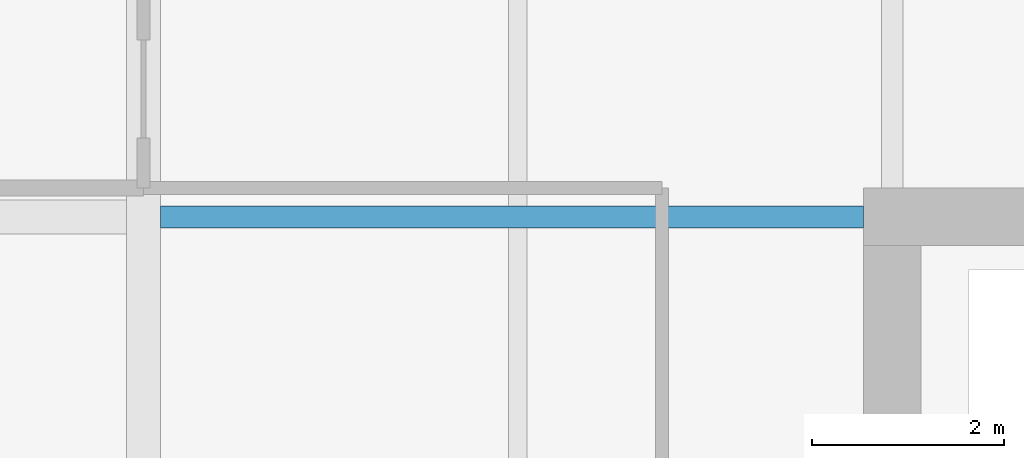
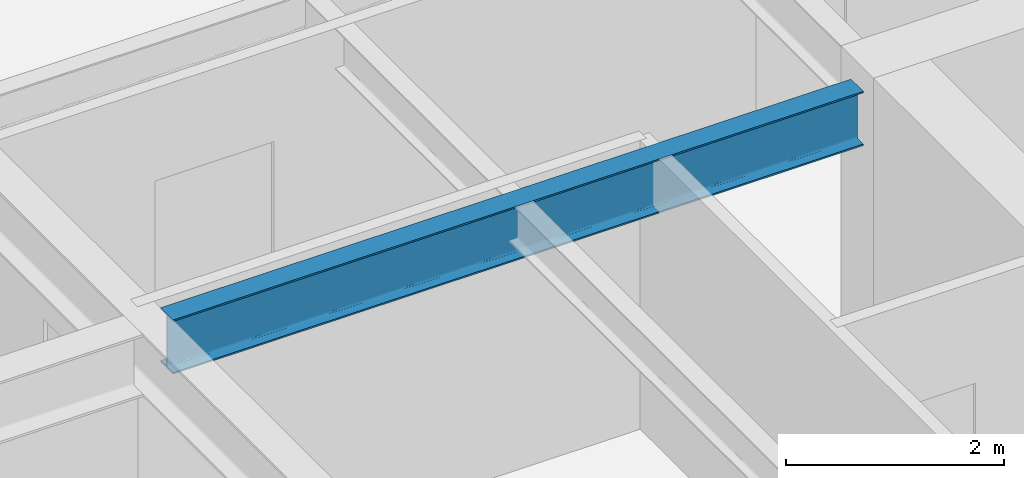
# One storey, part 17 of 35: 1 beam.
"""IFC4 building model written with IfcOpenShell, lengths in metres."""

import ifcopenshell
import ifcopenshell.guid

model = None  # the IFC model being written
_history = None  # IfcOwnerHistory: only IFC2X3 demands one
_inside = {}  # id of a spatial element -> (the spatial element, [elements in it])
_under = {}  # id of a project, library or spatial element -> (it, [spatial elements below it])
_declared = {}  # id of a project -> (the project, [libraries it declares])
_typed = {}  # id of a type object -> (the type object, [elements of that type])
_made_of = {}  # id of a material, layer set ... -> (it, [elements and type objects made of it])


def new_model(schema):
    """Start an empty IFC model of exactly this schema.

    Asked for "IFC4X3", IfcOpenShell would pick the latest addendum, in which some entities
    have other attributes; the version numbers below select the first issue.
    IFC2X3 requires an IfcOwnerHistory on every rooted entity: one is made here for all.
    """
    global model, _history
    if schema == "IFC4X3":
        model = ifcopenshell.file(schema_version=(4, 3, 0, 0))
    else:
        model = ifcopenshell.file(schema=schema)
    _inside.clear()
    _under.clear()
    _declared.clear()
    _typed.clear()
    _made_of.clear()
    _history = None
    if model.schema == "IFC2X3":
        org = make("IfcOrganization", Name="unknown")
        user = make(
            "IfcPersonAndOrganization",
            ThePerson=make("IfcPerson", FamilyName="unknown"),
            TheOrganization=org,
        )
        app = make(
            "IfcApplication",
            ApplicationDeveloper=org,
            Version="unknown",
            ApplicationFullName="unknown",
            ApplicationIdentifier="unknown",
        )
        _history = make(
            "IfcOwnerHistory",
            OwningUser=user,
            OwningApplication=app,
            ChangeAction="ADDED",
            CreationDate=0,
        )
    return model


def make(cls, **values):
    """One entity of the class cls with the attributes given. An attribute that is None is left unset."""
    return model.create_entity(
        cls, **{name: value for name, value in values.items() if value is not None}
    )


def rooted(cls, **values):
    """An entity with a GlobalId (a new one), such as an element, a storey or a relation."""
    return make(cls, GlobalId=ifcopenshell.guid.new(), OwnerHistory=_history, **values)


def si_unit(unit_type, name, prefix=None):
    """IfcSIUnit, for example si_unit("LENGTHUNIT", "METRE", prefix="MILLI")."""
    return make("IfcSIUnit", UnitType=unit_type, Prefix=prefix, Name=name)


def assignment(units):
    """IfcUnitAssignment: the units of a project."""
    return None if units is None else make("IfcUnitAssignment", Units=units)


def point(xyz):
    """IfcCartesianPoint."""
    return None if xyz is None else make("IfcCartesianPoint", Coordinates=xyz)


def direction(xyz):
    """IfcDirection."""
    return None if xyz is None else make("IfcDirection", DirectionRatios=xyz)


def frame(location, z_axis=None, x_axis=None):
    """IfcAxis2Placement3D, a coordinate frame: its origin and axes. An axis left out is left unset."""
    return make(
        "IfcAxis2Placement3D",
        Location=point(location),
        Axis=direction(z_axis),
        RefDirection=direction(x_axis),
    )


def frame_2d(location, x_axis=None):
    """IfcAxis2Placement2D, a coordinate frame in the plane: its origin and x axis."""
    return make(
        "IfcAxis2Placement2D", Location=point(location), RefDirection=direction(x_axis)
    )


def origin():
    """The frame at (0, 0, 0) with its axes left unset."""
    return frame((0.0, 0.0, 0.0))


def origin_2d():
    """The frame at (0, 0) in the plane with its x axis left unset."""
    return frame_2d((0.0, 0.0))


def place(relative_to, where):
    """IfcLocalPlacement: puts the frame where relative to a parent placement (None: the world)."""
    return make(
        "IfcLocalPlacement", PlacementRelTo=relative_to, RelativePlacement=where
    )


def context(
    kind, dimensions, precision=None, world=None, true_north=None, identifier=None
):
    """IfcGeometricRepresentationContext, for example the 3D "Model" context."""
    return make(
        "IfcGeometricRepresentationContext",
        ContextIdentifier=identifier,
        ContextType=kind,
        CoordinateSpaceDimension=dimensions,
        Precision=precision,
        WorldCoordinateSystem=world,
        TrueNorth=true_north,
    )


def subcontext(parent, identifier, kind, view, scale=None):
    """IfcGeometricRepresentationSubContext, for example "Body" below "Model"."""
    return make(
        "IfcGeometricRepresentationSubContext",
        ContextIdentifier=identifier,
        ContextType=kind,
        ParentContext=parent,
        TargetScale=scale,
        TargetView=view,
    )


def project(units=None, contexts=None):
    """IfcProject with its units and contexts."""
    return rooted(
        "IfcProject",
        Name="project",
        RepresentationContexts=contexts,
        UnitsInContext=assignment(units),
    )


def spatial(cls, under=None, at=None, **own):
    """A site, building, storey or space (cls), placed at a placement, below another one or the project."""
    s = rooted(cls, ObjectPlacement=at, **own)
    if under is not None:
        _under.setdefault(under.id(), (under, []))[1].append(s)
    return s


def profile(cls, at=None, kind="AREA", **sizes):
    """A parametric profile (cls). Its sizes go by their IFC names, for example OverallWidth=200.0."""
    return make(cls, ProfileType=kind, Position=at, **sizes)


def i_section(**sizes):
    """IfcIShapeProfileDef."""
    return profile("IfcIShapeProfileDef", **sizes)


def extrude(swept, where, along, depth):
    """IfcExtrudedAreaSolid: the profile swept, set in the frame where, extruded along a direction by depth."""
    return make(
        "IfcExtrudedAreaSolid",
        SweptArea=swept,
        Position=where,
        ExtrudedDirection=direction(along),
        Depth=depth,
    )


def shape(context_of_items, identifier, shape_type, items):
    """IfcShapeRepresentation: the items that make up one representation, for example the "Body"."""
    return make(
        "IfcShapeRepresentation",
        ContextOfItems=context_of_items,
        RepresentationIdentifier=identifier,
        RepresentationType=shape_type,
        Items=items,
    )


def material(Name=None, Category=None):
    """IfcMaterial."""
    return make("IfcMaterial", Name=Name, Category=Category)


def material_profile(
    of_material, cross_section, Name=None, Category=None, Priority=None
):
    """IfcMaterialProfile: a cross section and its material."""
    return make(
        "IfcMaterialProfile",
        Name=Name,
        Material=of_material,
        Profile=cross_section,
        Priority=Priority,
        Category=Category,
    )


def profile_set(profiles, Name=None, composite=None):
    """IfcMaterialProfileSet."""
    return make(
        "IfcMaterialProfileSet",
        Name=Name,
        MaterialProfiles=profiles,
        CompositeProfile=composite,
    )


def made_of(thing, what):
    """Note that an element or type object is made of a material, layer set ...; save() writes the relation."""
    if what is not None:
        _made_of.setdefault(what.id(), (what, []))[1].append(thing)
    return thing


def type_object(cls, material=None, **own):
    """A type object (cls), such as IfcWallType, which elements share."""
    return made_of(rooted(cls, **own), material)


def element(
    cls,
    number,
    at=None,
    inside=None,
    cuts=None,
    type_object=None,
    material=None,
    context=None,
    identifier="Body",
    shape_type=None,
    held_by="IfcProductDefinitionShape",
    body=None,
    shapes=None,
    **own,
):
    """One element of the class cls, such as IfcWall. Its Tag is "e" and its number.

    at: its placement. inside: the storey or other place that contains it. cuts: it is an
    opening in that element (IfcRelVoidsElement). A single representation is given by context,
    identifier, shape_type and body (its items); several are given by shapes. held_by: the class
    of the entity that holds the representations. save() writes the other relations.
    """
    e = rooted(cls, Tag="e%d" % number, ObjectPlacement=at, **own)
    if body is not None:
        shapes = [shape(context, identifier, shape_type, body)]
    if shapes is not None:
        e.Representation = make(held_by, Representations=shapes)
    if inside is not None:
        _inside.setdefault(inside.id(), (inside, []))[1].append(e)
    if cuts is not None:
        rooted(
            "IfcRelVoidsElement", RelatingBuildingElement=cuts, RelatedOpeningElement=e
        )
    if type_object is not None:
        _typed.setdefault(type_object.id(), (type_object, []))[1].append(e)
    return made_of(e, material)


def aggregate(whole, parts):
    """IfcRelAggregates: a whole, such as a stair, and the parts it consists of."""
    return rooted("IfcRelAggregates", RelatingObject=whole, RelatedObjects=parts)


def save(model, path):
    """Write the relations noted so far, then the file.

    IfcRelAggregates (storeys below a building ...), IfcRelContainedInSpatialStructure (elements
    in a storey), IfcRelDefinesByType, IfcRelAssociatesMaterial and IfcRelDeclares: one each for
    every whole, place, type object, material and project.
    """
    for whole, parts in _under.values():
        aggregate(whole, parts)
    for where, things in _inside.values():
        rooted(
            "IfcRelContainedInSpatialStructure",
            RelatedElements=things,
            RelatingStructure=where,
        )
    for kind, things in _typed.values():
        rooted("IfcRelDefinesByType", RelatedObjects=things, RelatingType=kind)
    for what, things in _made_of.values():
        rooted("IfcRelAssociatesMaterial", RelatedObjects=things, RelatingMaterial=what)
    for by, libraries in _declared.values():
        rooted("IfcRelDeclares", RelatingContext=by, RelatedDefinitions=libraries)
    model.write(path)


model = new_model("IFC4")

# Units and contexts
model_context = context("Model", 3, precision=1e-05, world=origin(), true_north=direction((0.0, 1.0)))
body_context = subcontext(model_context, "Body", "Model", "MODEL_VIEW")
ifc_project = project(units=[si_unit("LENGTHUNIT", "METRE"), si_unit("AREAUNIT", "SQUARE_METRE"), si_unit("VOLUMEUNIT", "CUBIC_METRE"), si_unit("PLANEANGLEUNIT", "RADIAN"), si_unit("MASSUNIT", "GRAM", prefix="KILO")], contexts=[model_context])

# Site, building, storey
site_placement = place(None, origin())
site = spatial("IfcSite", under=ifc_project, at=site_placement, CompositionType="ELEMENT")
building_placement = place(site_placement, origin())
building = spatial("IfcBuilding", under=site, at=building_placement, Name="Drelvath Grand Hotel", CompositionType="ELEMENT")
storey_placement = place(building_placement, frame((0.0, 0.0, 123.300048828125)))
storey = spatial("IfcBuildingStorey", under=building, at=storey_placement, Name="L31", CompositionType="ELEMENT", Elevation=123.300048828125)

# Beam
ifc_material = material(Name="Steel ASTM A992 Gr 50", Category="steel")
ifc_material_profile = material_profile(ifc_material, i_section(OverallWidth=0.228271484375, OverallDepth=0.607666015625, WebThickness=0.01123046875, FlangeThickness=0.017333984375, FilletRadius=0.02001953125, at=origin_2d()), Name="W24X76")
ifc_profile_set = profile_set([ifc_material_profile], Name="Steel ASTM A992 Gr 50")
beam_type = type_object("IfcBeamType", Name="Primary Floor Girder W24X76", PredefinedType="BEAM", material=ifc_profile_set)
beam_placement = place(storey_placement, frame((-16.022705078125, 35.39990234375, 2.93603515625), z_axis=(1.0, 0.0, 0.0), x_axis=(0.0, 1.0, 0.0)))
element("IfcBeam", 1, at=beam_placement, inside=storey, type_object=beam_type, Name="L31 West Core Tie F", PredefinedType="BEAM", context=body_context, shape_type="SweptSolid", body=[
    extrude(i_section(OverallWidth=0.228271484375, OverallDepth=0.607666015625, WebThickness=0.01123046875, FlangeThickness=0.017333984375, FilletRadius=0.02001953125, at=origin_2d()), origin(), (0.0, 0.0, 1.0), 7.32275390625),
])

save(model, "model.ifc")
